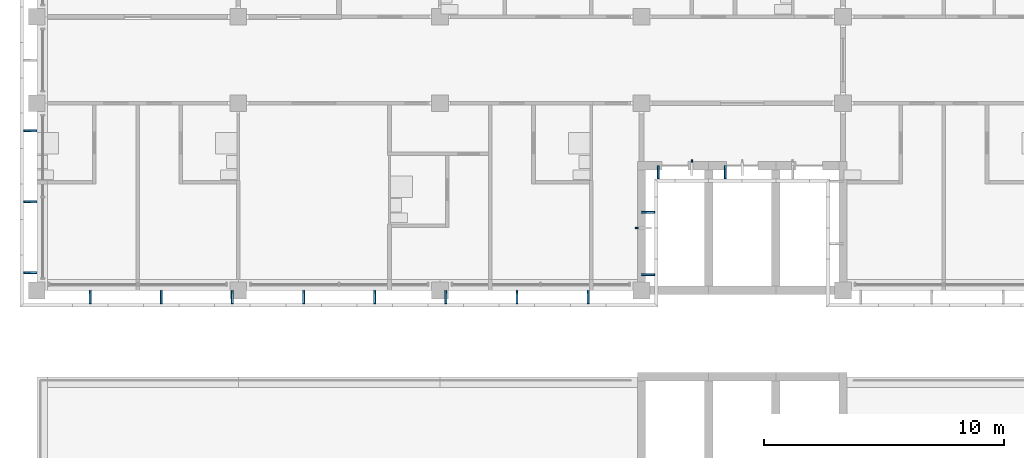
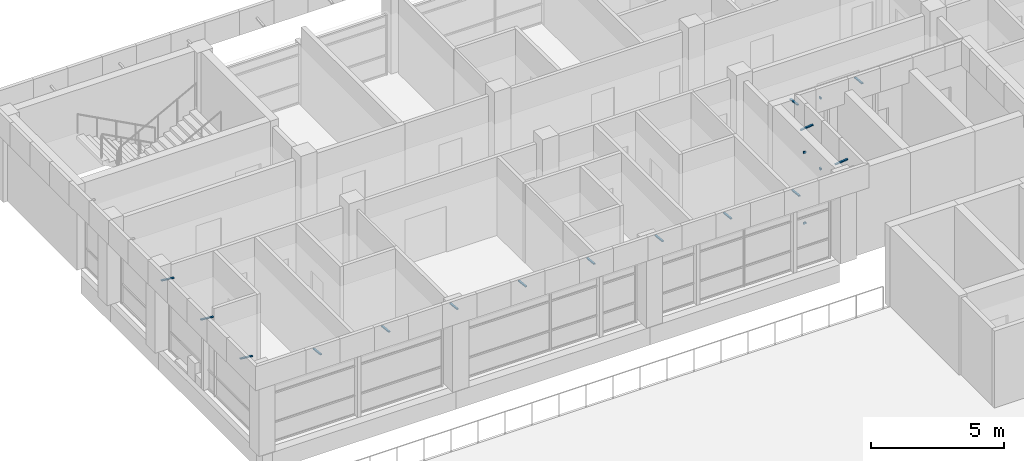
# One storey, part 30 of 46: 19 discrete accessories.
"""IFC4 building model written with IfcOpenShell, lengths in metres."""

from ifc_helpers import new_model, si_unit, direction, frame, origin, origin_2d, place, context, subcontext, project, spatial, rectangle, extrude, material, material_profile, profile_set, type_object, element, save


model = new_model("IFC4")

# Units and contexts
model_context = context("Model", 3, precision=1e-05, world=origin(), true_north=direction((0.0, 1.0)))
body_context = subcontext(model_context, "Body", "Model", "MODEL_VIEW")
ifc_project = project(units=[si_unit("LENGTHUNIT", "METRE"), si_unit("AREAUNIT", "SQUARE_METRE"), si_unit("VOLUMEUNIT", "CUBIC_METRE"), si_unit("PLANEANGLEUNIT", "RADIAN"), si_unit("MASSUNIT", "GRAM", prefix="KILO")], contexts=[model_context])

# Site, building, storey
site_placement = place(None, origin())
site = spatial("IfcSite", under=ifc_project, at=site_placement, CompositionType="ELEMENT")
building_placement = place(site_placement, origin())
building = spatial("IfcBuilding", under=site, at=building_placement, Name="Bougainvillea Quay General Hospital", CompositionType="ELEMENT")
storey_placement = place(building_placement, frame((0.0, 0.0, 28.800048828125)))
storey = spatial("IfcBuildingStorey", under=building, at=storey_placement, Name="L06", CompositionType="ELEMENT", Elevation=28.800048828125)

# Discrete accessories
ifc_material = material(Name="Stainless steel bracket, grade 316", Category="steel")
discrete_accessory_type_1 = type_object("IfcDiscreteAccessoryType", Name="Stainless steel fin arm 60x80", PredefinedType="BRACKET", material=ifc_material)
for number, where, z_axis, x_axis, name in (
    (1, (67.010009765625, 143.0, 0.0), (0.0, 0.0, 1.0), (1.0, 0.0, 0.0), "Fin arm V5A L06 03.1B"),
    (2, (67.010009765625, 143.0, 3.25), (0.0, 0.0, 1.0), (1.0, 0.0, 0.0), "Fin arm V5A L06 03.1T"),
    (3, (69.300048828125, 145.7900390625, 0.0), (0.0, 0.0, 1.0), (0.0, -1.0, 0.0), "Fin arm V5A L06 04.3B"),
    (4, (69.300048828125, 145.7900390625, 3.25), (0.0, 0.0, 1.0), (0.0, -1.0, 0.0), "Fin arm V5A L06 04.3T"),
):
    element("IfcDiscreteAccessory", number, at=place(storey_placement, frame(where, z_axis=z_axis, x_axis=x_axis)), inside=storey, type_object=discrete_accessory_type_1, Name=name, PredefinedType="BRACKET", context=body_context, shape_type="SweptSolid", body=[
        extrude(rectangle(XDim=0.1201171875, YDim=0.06005859375, at=origin_2d()), origin(), (0.0, 0.0, 1.0), 0.080078125),
    ])
ifc_material_profile = material_profile(ifc_material, rectangle(XDim=0.080078125, YDim=0.050048828125, at=origin_2d()))
ifc_profile_set = profile_set([ifc_material_profile], Name="Stainless steel bracket, grade 316")
discrete_accessory_type_2 = type_object("IfcDiscreteAccessoryType", Name="Stainless steel stand-off bracket 80x50", PredefinedType="BRACKET", material=ifc_profile_set)
for number, where, z_axis, x_axis, name in (
    (5, (42.0, 147.046142578125, 3.83984375), (-0.994091793559, 0.0, 0.108542645901), (0.0, -1.0, 0.0), "Fascia bracket e0 105"),
    (6, (42.0, 144.09228515625, 3.83984375), (-0.994091793559, 0.0, 0.108542645901), (0.0, -1.0, 0.0), "Fascia bracket e0 107"),
    (7, (42.0, 141.138427734375, 3.83984375), (-0.994091793559, 0.0, 0.108542645901), (0.0, -1.0, 0.0), "Fascia bracket e0 109"),
):
    element("IfcDiscreteAccessory", number, at=place(storey_placement, frame(where, z_axis=z_axis, x_axis=x_axis)), inside=storey, type_object=discrete_accessory_type_2, Name=name, PredefinedType="BRACKET", context=body_context, shape_type="SweptSolid", body=[
        extrude(rectangle(XDim=0.080078125, YDim=0.050048828125, at=origin_2d()), origin(), (0.0, 0.0, 1.0), 0.55322265625),
    ])
for number, where, z_axis, x_axis, name in (
    (8, (44.2236328125, 140.39990234375, 3.83984375), (0.0, -0.994086591779, 0.108590276011), (1.0, 0.0, 0.0), "Fascia bracket e0 111"),
    (9, (47.188232421875, 140.39990234375, 3.83984375), (0.0, -0.994086591779, 0.108590276011), (1.0, 0.0, 0.0), "Fascia bracket e0 113"),
    (10, (50.15283203125, 140.39990234375, 3.83984375), (0.0, -0.994086591779, 0.108590276011), (1.0, 0.0, 0.0), "Fascia bracket e0 115"),
    (11, (53.11767578125, 140.39990234375, 3.83984375), (0.0, -0.994086591779, 0.108590276011), (1.0, 0.0, 0.0), "Fascia bracket e0 117"),
    (12, (56.082275390625, 140.39990234375, 3.83984375), (0.0, -0.994086591779, 0.108590276011), (1.0, 0.0, 0.0), "Fascia bracket e0 119"),
    (13, (59.047119140625, 140.39990234375, 3.83984375), (0.0, -0.994086591779, 0.108590276011), (1.0, 0.0, 0.0), "Fascia bracket e0 121"),
    (14, (62.01171875, 140.39990234375, 3.83984375), (0.0, -0.994086591779, 0.108590276011), (1.0, 0.0, 0.0), "Fascia bracket e0 123"),
    (15, (64.9765625, 140.39990234375, 3.83984375), (0.0, -0.994086591779, 0.108590276011), (1.0, 0.0, 0.0), "Fascia bracket e0 125"),
):
    element("IfcDiscreteAccessory", number, at=place(storey_placement, frame(where, z_axis=z_axis, x_axis=x_axis)), inside=storey, type_object=discrete_accessory_type_2, Name=name, PredefinedType="BRACKET", context=body_context, shape_type="SweptSolid", body=[
        extrude(rectangle(XDim=0.080078125, YDim=0.050048828125, at=origin_2d()), origin(), (0.0, 0.0, 1.0), 0.552978515625),
    ])
for number, where, z_axis, x_axis, name in (
    (16, (67.199951171875, 141.050048828125, 3.83984375), (0.994091793559, 0.0, 0.108542645901), (0.0, 1.0, 0.0), "Fascia bracket e0 127"),
    (17, (67.199951171875, 143.64990234375, 3.83984375), (0.994091793559, 0.0, 0.108542645901), (0.0, 1.0, 0.0), "Fascia bracket e0 129"),
    (18, (67.89990234375, 145.60009765625, 3.83984375), (0.0, -0.994091793559, 0.108542645901), (1.0, 0.0, 0.0), "Fascia bracket e0 131"),
    (19, (70.699951171875, 145.60009765625, 3.83984375), (0.0, -0.994091793559, 0.108542645901), (1.0, 0.0, 0.0), "Fascia bracket e0 133"),
):
    element("IfcDiscreteAccessory", number, at=place(storey_placement, frame(where, z_axis=z_axis, x_axis=x_axis)), inside=storey, type_object=discrete_accessory_type_2, Name=name, PredefinedType="BRACKET", context=body_context, shape_type="SweptSolid", body=[
        extrude(rectangle(XDim=0.080078125, YDim=0.050048828125, at=origin_2d()), origin(), (0.0, 0.0, 1.0), 0.55322265625),
    ])

save(model, "model.ifc")
